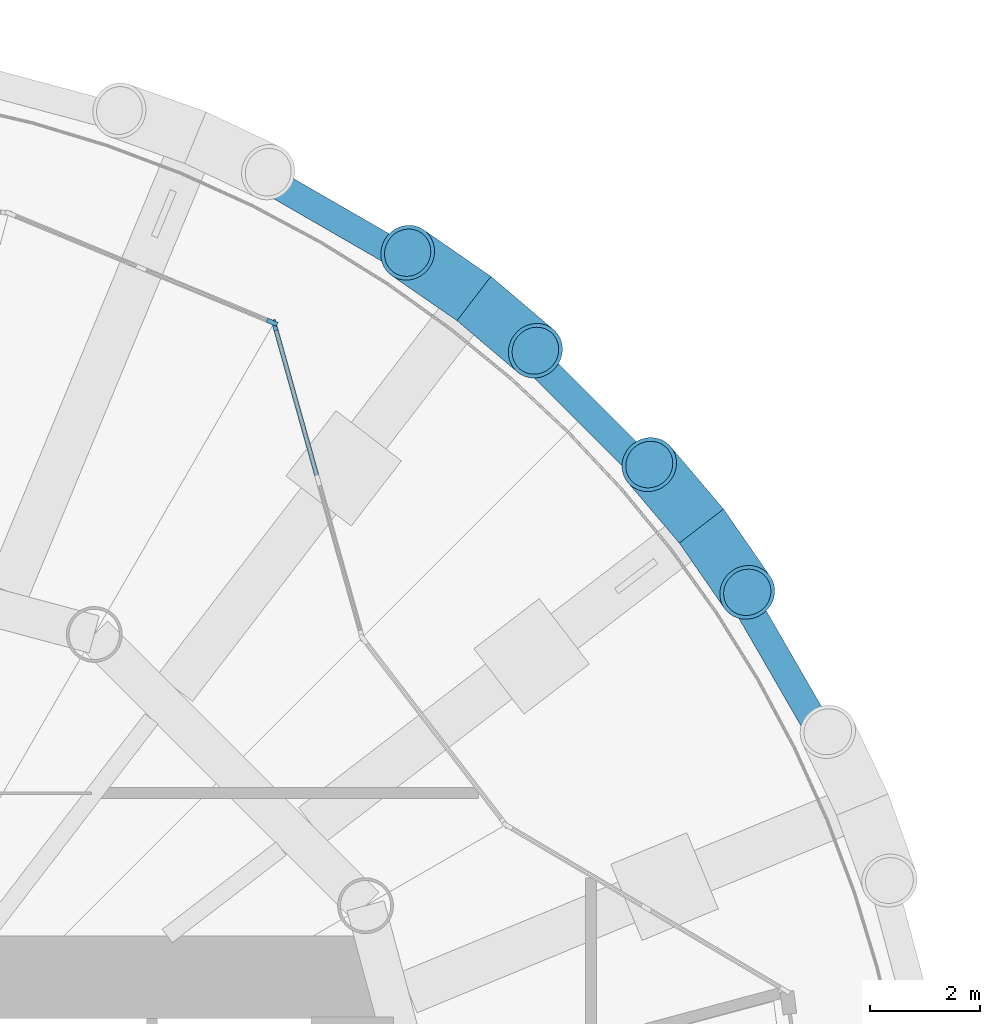
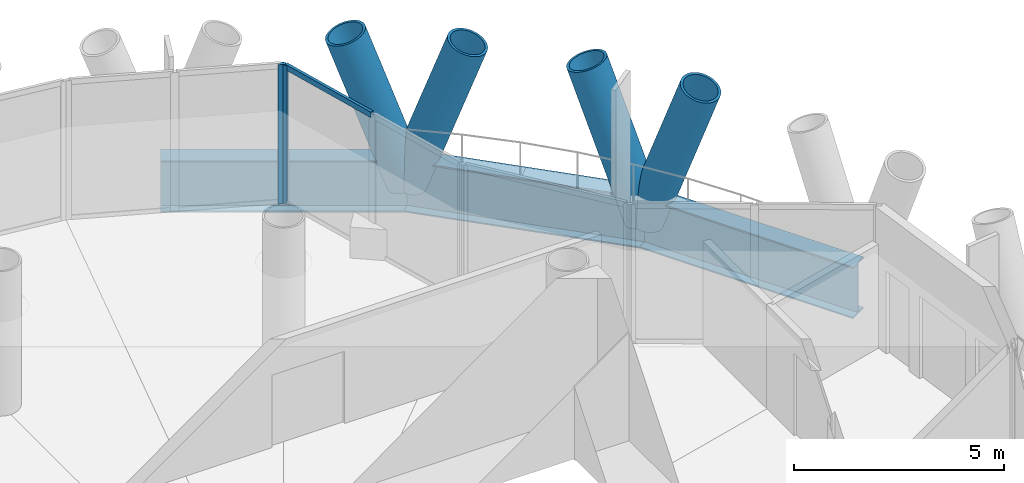
# One storey, part 6 of 14: 7 members, 3 beams, 2 elements without a shape of their own.
"""IFC4 building model written with IfcOpenShell, lengths in metres."""

from ifc_helpers import new_model, si_unit, direction, frame, origin, origin_2d, place, context, subcontext, project, spatial, rectangle, hollow_circle, i_section, extrude, material, material_profile, profile_set, type_object, element, aggregate, save


model = new_model("IFC4")

# Units and contexts
model_context = context("Model", 3, precision=1e-05, world=origin(), true_north=direction((0.0, 1.0)))
body_context = subcontext(model_context, "Body", "Model", "MODEL_VIEW")
ifc_project = project(units=[si_unit("LENGTHUNIT", "METRE"), si_unit("AREAUNIT", "SQUARE_METRE"), si_unit("VOLUMEUNIT", "CUBIC_METRE"), si_unit("PLANEANGLEUNIT", "RADIAN"), si_unit("MASSUNIT", "GRAM", prefix="KILO")], contexts=[model_context])

# Site, building, storey
site_placement = place(None, origin())
site = spatial("IfcSite", under=ifc_project, at=site_placement, CompositionType="ELEMENT")
building_placement = place(site_placement, origin())
building = spatial("IfcBuilding", under=site, at=building_placement, Name="Qaws Media Tower", CompositionType="ELEMENT")
storey_placement = place(building_placement, frame((0.0, 0.0, 236.0)))
storey = spatial("IfcBuildingStorey", under=building, at=storey_placement, Name="L54", CompositionType="ELEMENT", Elevation=236.0)

# Curtain wall, member
ifc_material_1 = material(Name="Aluminium and clear glass", Category="aluminium")
curtain_wall_type_1 = type_object("IfcCurtainWallType", Name="Loggia curtain wall CW-G", PredefinedType="NOTDEFINED", material=ifc_material_1)
curtain_wall_1_placement = place(storey_placement, origin())
curtain_wall_1 = element("IfcCurtainWall", 1, at=curtain_wall_1_placement, inside=storey, type_object=curtain_wall_type_1, Name="CWG curtain wall L54-04", PredefinedType="NOTDEFINED")
ifc_material_2 = material(Name="Aluminium mullion", Category="aluminium")
ifc_material_profile_1 = material_profile(ifc_material_2, rectangle(XDim=0.080078125, YDim=0.199951171875, at=origin_2d()), Name="80x200")
ifc_profile_set_1 = profile_set([ifc_material_profile_1], Name="Aluminium mullion")
member_type_1 = type_object("IfcMemberType", Name="Curtain wall mullion 80x200", PredefinedType="MULLION", material=ifc_profile_set_1)
member_1_placement = place(storey_placement, frame((70.035888671875, 67.3251953125, 0.0), z_axis=(0.0, 0.0, 1.0), x_axis=(-0.962877852476, -0.269937476483, 0.0)))
member_1 = element("IfcMember", 2, at=member_1_placement, type_object=member_type_1, Name="CWG mullion 3", PredefinedType="MULLION", context=body_context, shape_type="SweptSolid", body=[
    extrude(rectangle(XDim=0.080078125, YDim=0.199951171875, at=origin_2d()), origin(), (0.0, 0.0, 1.0), 4.0400390625),
])

ifc_material_3 = material(Name="Aluminium and clear glass", Category="aluminium")
curtain_wall_type_2 = type_object("IfcCurtainWallType", Name="Unitised curtain wall CW-C", PredefinedType="NOTDEFINED", material=ifc_material_3)
curtain_wall_2_placement = place(storey_placement, origin())
curtain_wall_2 = element("IfcCurtainWall", 3, at=curtain_wall_2_placement, inside=storey, type_object=curtain_wall_type_2, Name="CWC curtain wall L54-05", PredefinedType="NOTDEFINED")
member_2_placement = place(storey_placement, frame((69.988037109375, 67.379150390625, 0.0), z_axis=(0.0, 0.0, 1.0), x_axis=(-0.382683528436, -0.923879492717, 0.0)))
member_2 = element("IfcMember", 4, at=member_2_placement, type_object=member_type_1, Name="CWC mullion 1", PredefinedType="MULLION", context=body_context, shape_type="SweptSolid", body=[
    extrude(rectangle(XDim=0.080078125, YDim=0.199951171875, at=origin_2d()), origin(), (0.0, 0.0, 1.0), 4.0400390625),
])
aggregate(curtain_wall_2, [member_2])

# Member
ifc_material_4 = material(Name="Aluminium transom", Category="aluminium")
ifc_material_profile_2 = material_profile(ifc_material_4, rectangle(XDim=0.080078125, YDim=0.159912109375, at=origin_2d()), Name="80x160")
ifc_profile_set_2 = profile_set([ifc_material_profile_2], Name="Aluminium transom")
member_type_2 = type_object("IfcMemberType", Name="Curtain wall transom 80x160", PredefinedType="USERDEFINED", material=ifc_profile_set_2)
member_3_placement = place(storey_placement, frame((70.817626953125, 64.536376953125, 4.0), z_axis=(-0.269908890851, 0.962885865843, 0.0), x_axis=(-0.962885865843, -0.269908890851, 0.0)))
member_3 = element("IfcMember", 5, at=member_3_placement, type_object=member_type_2, Name="CWG transom 2.2", ObjectType="TRANSOM", PredefinedType="USERDEFINED", context=body_context, shape_type="SweptSolid", body=[
    extrude(rectangle(XDim=0.080078125, YDim=0.159912109375, at=origin_2d()), origin(), (0.0, 0.0, 1.0), 2.8564453125),
])

aggregate(curtain_wall_1, [member_1, member_3])

# Members
ifc_material_5 = material(Name="Steel S460", Category="steel")
ifc_material_profile_3 = material_profile(ifc_material_5, hollow_circle(Radius=0.508056640625, WallThickness=0.070068359375, at=origin_2d()), Name="CHS 1016x70")
ifc_profile_set_3 = profile_set([ifc_material_profile_3], Name="Steel S460")
member_type_3 = type_object("IfcMemberType", Name="Diagrid member CHS 1016x70", PredefinedType="USERDEFINED", material=ifc_profile_set_3)
for number, where, z_axis, x_axis, name in (
    (6, (77.810791015625, 63.666748046875, -0.909912109375), (-0.213672562713, 0.251534418971, 0.943967410463), (-0.762136188527, -0.647416736065, 0.0), "DG3 diagrid L54 A03"),
    (7, (77.810791015625, 63.666748046875, -0.909912109375), (0.187662319179, -0.271506770556, 0.943963414282), (0.822622885394, 0.568587362176, 0.0), "DG3 diagrid L54 B03"),
    (8, (73.666748046875, 67.810791015625, -0.909912109375), (-0.271506770556, 0.187662319179, 0.943963414282), (-0.568587362176, -0.822622885394, 0.0), "DG3 diagrid L54 A04"),
    (9, (73.666748046875, 67.810791015625, -0.909912109375), (0.251534418971, -0.213672562713, 0.943967410463), (0.647416736065, 0.762136188527, 0.0), "DG3 diagrid L54 B04"),
):
    element("IfcMember", number, at=place(storey_placement, frame(where, z_axis=z_axis, x_axis=x_axis)), inside=storey, type_object=member_type_3, Name=name, ObjectType="DIAGRID", PredefinedType="USERDEFINED", context=body_context, shape_type="SweptSolid", body=[
        extrude(hollow_circle(Radius=0.508056640625, WallThickness=0.070068359375, at=origin_2d()), origin(), (0.0, 0.0, 1.0), 4.44921875),
    ])

# Beams
ifc_material_6 = material(Name="Steel S460", Category="steel")
ifc_material_profile_4 = material_profile(ifc_material_6, i_section(OverallWidth=0.5, OverallDepth=1.5, WebThickness=0.02001953125, FlangeThickness=0.0400390625, at=origin_2d()), Name="PG 1500x500")
ifc_profile_set_4 = profile_set([ifc_material_profile_4], Name="Steel S460")
beam_type = type_object("IfcBeamType", Name="Edge ring beam PG 1500x500", PredefinedType="BEAM", material=ifc_profile_set_4)
for number, where, z_axis, x_axis, name in (
    (10, (80.7412109375, 58.59130859375, -0.909912109375), (-0.5000145359, 0.866017011316, 0.0), (-0.866017011316, -0.5000145359, 0.0), "RB4 edge ring beam L54-02"),
    (11, (77.810791015625, 63.666748046875, -0.909912109375), (-0.707106781187, 0.707106781187, 0.0), (-0.707106781187, -0.707106781187, 0.0), "RB4 edge ring beam L54-03"),
    (12, (73.666748046875, 67.810791015625, -0.909912109375), (-0.866017011316, 0.5000145359, 0.0), (-0.5000145359, -0.866017011316, 0.0), "RB4 edge ring beam L54-04"),
):
    element("IfcBeam", number, at=place(storey_placement, frame(where, z_axis=z_axis, x_axis=x_axis)), inside=storey, type_object=beam_type, Name=name, PredefinedType="BEAM", context=body_context, shape_type="SweptSolid", body=[
        extrude(i_section(OverallWidth=0.5, OverallDepth=1.5, WebThickness=0.02001953125, FlangeThickness=0.0400390625, at=origin_2d()), origin(), (0.0, 0.0, 1.0), 5.860595703125),
    ])

save(model, "model.ifc")
